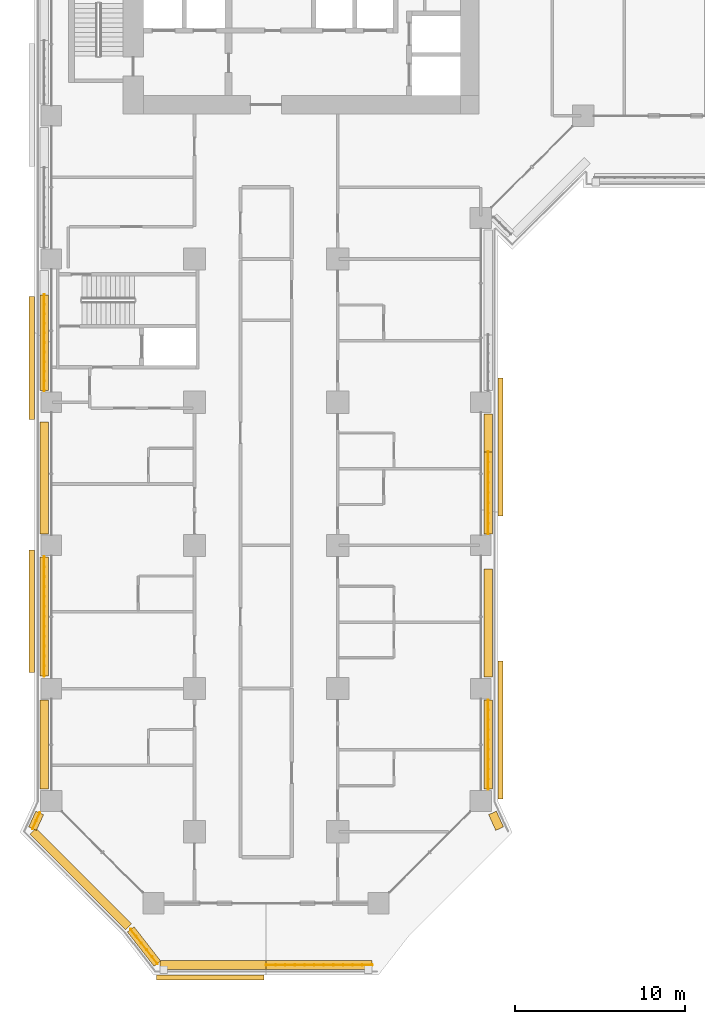
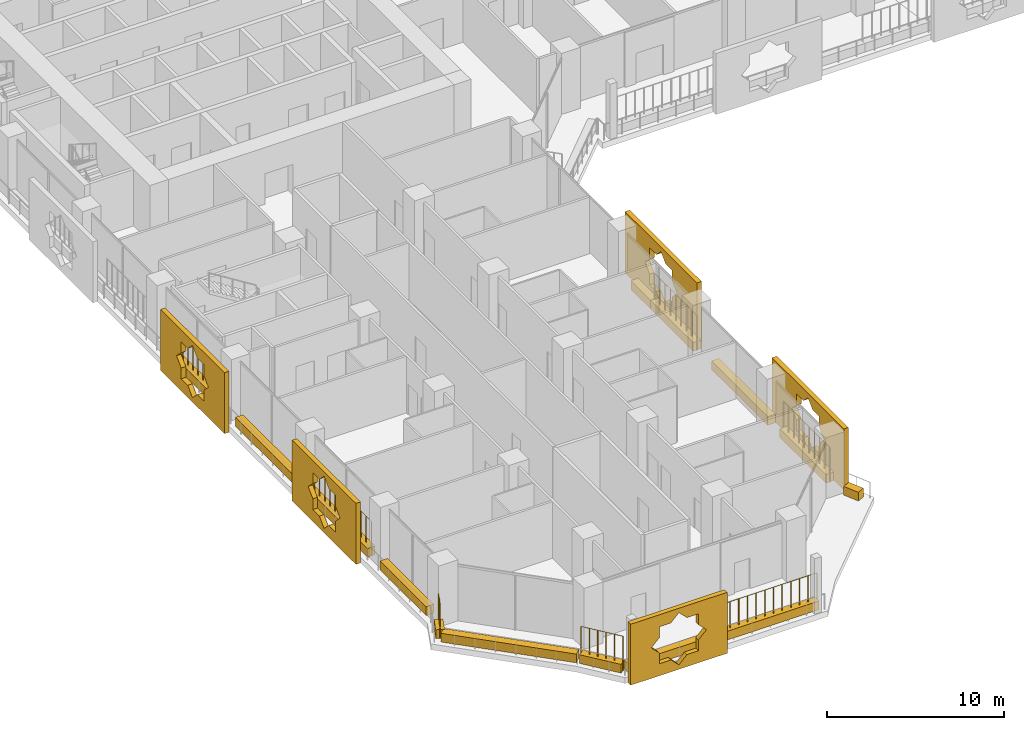
# One storey, part 21 of 28: 19 coverings, 7 railings.
"""IFC4 building model written with IfcOpenShell, lengths in metres."""

from ifc_helpers import new_model, si_unit, direction, frame, origin, origin_2d, place, context, subcontext, project, spatial, polyline, rectangle, circle, outline, extrude, material, material_profile, profile_set, type_object, element, save


model = new_model("IFC4")

# Units and contexts
model_context = context("Model", 3, precision=1e-05, world=origin(), true_north=direction((0.0, 1.0)))
body_context = subcontext(model_context, "Body", "Model", "MODEL_VIEW")
ifc_project = project(units=[si_unit("LENGTHUNIT", "METRE"), si_unit("AREAUNIT", "SQUARE_METRE"), si_unit("VOLUMEUNIT", "CUBIC_METRE"), si_unit("PLANEANGLEUNIT", "RADIAN"), si_unit("MASSUNIT", "GRAM", prefix="KILO")], contexts=[model_context])

# Site, building, storey
site_placement = place(None, origin())
site = spatial("IfcSite", under=ifc_project, at=site_placement, CompositionType="ELEMENT")
building_placement = place(site_placement, origin())
building = spatial("IfcBuilding", under=site, at=building_placement, Name="Kawkab Arch Medical Tower", CompositionType="ELEMENT")
storey_placement = place(building_placement, frame((0.0, 0.0, 81.199951171875)))
storey = spatial("IfcBuildingStorey", under=building, at=storey_placement, Name="L18", CompositionType="ELEMENT", Elevation=81.199951171875)

# Coverings
ifc_material_1 = material(Name="Bronze anodised aluminium mashrabiya panel, eight-point star pattern", Category="aluminium")
ifc_material_profile_1 = material_profile(ifc_material_1, outline(polyline([(-3.14990234375, -2.10009765625), (3.14990234375, -2.10009765625), (3.14990234375, 2.10009765625), (-3.14990234375, 2.10009765625), (-3.14990234375, -2.10009765625)]), holes=[polyline([(1.800048828125, 0.0), (1.272705078125, 0.527099609375), (1.272705078125, 1.272705078125), (0.527099609375, 1.272705078125), (0.0, 1.800048828125), (-0.527099609375, 1.272705078125), (-1.272705078125, 1.272705078125), (-1.272705078125, 0.527099609375), (-1.800048828125, 0.0), (-1.272705078125, -0.527099609375), (-1.272705078125, -1.272705078125), (-0.527099609375, -1.272705078125), (0.0, -1.800048828125), (0.527099609375, -1.272705078125), (1.272705078125, -1.272705078125), (1.272705078125, -0.527099609375), (1.800048828125, 0.0)])]), Name="Mashrabiya panel 6300x4200")
ifc_profile_set_1 = profile_set([ifc_material_profile_1], Name="Bronze anodised aluminium mashrabiya panel, eight-point star pattern")
covering_type_1 = type_object("IfcCoveringType", Name="Mashrabiya panel 6300 x 4200", PredefinedType="USERDEFINED", material=ifc_profile_set_1)
covering_1_placement = place(storey_placement, frame((9.322509765625, -75.60009765625, 1.699951171875), z_axis=(0.0, -1.0, 0.0), x_axis=(1.0, 0.0, 0.0)))
element("IfcCovering", 1, at=covering_1_placement, inside=storey, type_object=covering_type_1, Name="Mashrabiya panel L18.LOG-01-01.1", ObjectType="SCREEN", PredefinedType="USERDEFINED", context=body_context, shape_type="SweptSolid", body=[
    extrude(outline(polyline([(-3.14990234375, -2.10009765625), (3.14990234375, -2.10009765625), (3.14990234375, 2.10009765625), (-3.14990234375, 2.10009765625), (-3.14990234375, -2.10009765625)]), holes=[polyline([(1.800048828125, 0.0), (1.272705078125, 0.527099609375), (1.272705078125, 1.272705078125), (0.527099609375, 1.272705078125), (0.0, 1.800048828125), (-0.527099609375, 1.272705078125), (-1.272705078125, 1.272705078125), (-1.272705078125, 0.527099609375), (-1.800048828125, 0.0), (-1.272705078125, -0.527099609375), (-1.272705078125, -1.272705078125), (-0.527099609375, -1.272705078125), (0.0, -1.800048828125), (0.527099609375, -1.272705078125), (1.272705078125, -1.272705078125), (1.272705078125, -0.527099609375), (1.800048828125, 0.0)])]), origin(), (0.0, 0.0, 1.0), 0.2998046875),
])
ifc_material_2 = material(Name="Bronze anodised aluminium mashrabiya panel, eight-point star pattern", Category="aluminium")
ifc_material_profile_2 = material_profile(ifc_material_2, outline(polyline([(-3.60009765625, -2.10009765625), (3.60009765625, -2.10009765625), (3.60009765625, 2.10009765625), (-3.60009765625, 2.10009765625), (-3.60009765625, -2.10009765625)]), holes=[polyline([(1.800048828125, 0.0), (1.272705078125, 0.527099609375), (1.272705078125, 1.272705078125), (0.527099609375, 1.272705078125), (0.0, 1.800048828125), (-0.527099609375, 1.272705078125), (-1.272705078125, 1.272705078125), (-1.272705078125, 0.527099609375), (-1.800048828125, 0.0), (-1.272705078125, -0.527099609375), (-1.272705078125, -1.272705078125), (-0.527099609375, -1.272705078125), (0.0, -1.800048828125), (0.527099609375, -1.272705078125), (1.272705078125, -1.272705078125), (1.272705078125, -0.527099609375), (1.800048828125, 0.0)])]), Name="Mashrabiya panel 7200x4200")
ifc_profile_set_2 = profile_set([ifc_material_profile_2], Name="Bronze anodised aluminium mashrabiya panel, eight-point star pattern")
covering_type_2 = type_object("IfcCoveringType", Name="Mashrabiya panel 7200 x 4200", PredefinedType="USERDEFINED", material=ifc_profile_set_2)
for number, where, z_axis, x_axis, name in (
    (2, (-1.0, -54.263916015625, 1.699951171875), (-1.0, 0.0, 0.0), (0.0, -1.0, 0.0), "Mashrabiya panel L18.LOG-01-01.2"),
    (3, (-1.0, -39.412841796875, 1.699951171875), (-1.0, 0.0, 0.0), (0.0, -1.0, 0.0), "Mashrabiya panel L18.LOG-01-01.3"),
):
    element("IfcCovering", number, at=place(storey_placement, frame(where, z_axis=z_axis, x_axis=x_axis)), inside=storey, type_object=covering_type_2, Name=name, ObjectType="SCREEN", PredefinedType="USERDEFINED", context=body_context, shape_type="SweptSolid", body=[
        extrude(outline(polyline([(-3.60009765625, -2.10009765625), (3.60009765625, -2.10009765625), (3.60009765625, 2.10009765625), (-3.60009765625, 2.10009765625), (-3.60009765625, -2.10009765625)]), holes=[polyline([(1.800048828125, 0.0), (1.272705078125, 0.527099609375), (1.272705078125, 1.272705078125), (0.527099609375, 1.272705078125), (0.0, 1.800048828125), (-0.527099609375, 1.272705078125), (-1.272705078125, 1.272705078125), (-1.272705078125, 0.527099609375), (-1.800048828125, 0.0), (-1.272705078125, -0.527099609375), (-1.272705078125, -1.272705078125), (-0.527099609375, -1.272705078125), (0.0, -1.800048828125), (0.527099609375, -1.272705078125), (1.272705078125, -1.272705078125), (1.272705078125, -0.527099609375), (1.800048828125, 0.0)])]), origin(), (0.0, 0.0, 1.0), 0.300048828125),
    ])
ifc_material_3 = material(Name="Bronze anodised aluminium mashrabiya panel, eight-point star pattern", Category="aluminium")
ifc_material_profile_3 = material_profile(ifc_material_3, outline(polyline([(-4.050048828125, -2.10009765625), (4.050048828125, -2.10009765625), (4.050048828125, 2.10009765625), (-4.050048828125, 2.10009765625), (-4.050048828125, -2.10009765625)]), holes=[polyline([(1.800048828125, 0.0), (1.272705078125, 0.527099609375), (1.272705078125, 1.272705078125), (0.527099609375, 1.272705078125), (0.0, 1.800048828125), (-0.527099609375, 1.272705078125), (-1.272705078125, 1.272705078125), (-1.272705078125, 0.527099609375), (-1.800048828125, 0.0), (-1.272705078125, -0.527099609375), (-1.272705078125, -1.272705078125), (-0.527099609375, -1.272705078125), (0.0, -1.800048828125), (0.527099609375, -1.272705078125), (1.272705078125, -1.272705078125), (1.272705078125, -0.527099609375), (1.800048828125, 0.0)])]), Name="Mashrabiya panel 8100x4200")
ifc_profile_set_3 = profile_set([ifc_material_profile_3], Name="Bronze anodised aluminium mashrabiya panel, eight-point star pattern")
covering_type_3 = type_object("IfcCoveringType", Name="Mashrabiya panel 8100 x 4200", PredefinedType="USERDEFINED", material=ifc_profile_set_3)
for number, where, z_axis, x_axis, name in (
    (4, (26.199951171875, -44.639892578125, 1.699951171875), (1.0, 0.0, 0.0), (0.0, 1.0, 0.0), "Mashrabiya panel L18.LOG-01-01.14"),
    (5, (26.199951171875, -61.229736328125, 1.699951171875), (1.0, 0.0, 0.0), (0.0, 1.0, 0.0), "Mashrabiya panel L18.LOG-01-01.15"),
):
    element("IfcCovering", number, at=place(storey_placement, frame(where, z_axis=z_axis, x_axis=x_axis)), inside=storey, type_object=covering_type_3, Name=name, ObjectType="SCREEN", PredefinedType="USERDEFINED", context=body_context, shape_type="SweptSolid", body=[
        extrude(outline(polyline([(-4.050048828125, -2.10009765625), (4.050048828125, -2.10009765625), (4.050048828125, 2.10009765625), (-4.050048828125, 2.10009765625), (-4.050048828125, -2.10009765625)]), holes=[polyline([(1.800048828125, 0.0), (1.272705078125, 0.527099609375), (1.272705078125, 1.272705078125), (0.527099609375, 1.272705078125), (0.0, 1.800048828125), (-0.527099609375, 1.272705078125), (-1.272705078125, 1.272705078125), (-1.272705078125, 0.527099609375), (-1.800048828125, 0.0), (-1.272705078125, -0.527099609375), (-1.272705078125, -1.272705078125), (-0.527099609375, -1.272705078125), (0.0, -1.800048828125), (0.527099609375, -1.272705078125), (1.272705078125, -1.272705078125), (1.272705078125, -0.527099609375), (1.800048828125, 0.0)])]), origin(), (0.0, 0.0, 1.0), 0.300048828125),
    ])
ifc_material_4 = material(Name="Planting soil in a precast trough", Category="concrete")
ifc_material_profile_4 = material_profile(ifc_material_4, rectangle(XDim=0.5, YDim=0.60009765625, at=origin_2d()), Name="Trough 500x600")
ifc_profile_set_4 = profile_set([ifc_material_profile_4], Name="Planting soil in a precast trough")
covering_type_4 = type_object("IfcCoveringType", Name="Planter trough 500 x 600", PredefinedType="USERDEFINED", material=ifc_profile_set_4)
covering_2_placement = place(storey_placement, frame((18.81591796875, -75.02001953125, 0.300048828125), z_axis=(-1.0, 0.0, 0.0), x_axis=(0.0, -1.0, 0.0)))
element("IfcCovering", 6, at=covering_2_placement, inside=storey, type_object=covering_type_4, Name="Planter L18.LOG-01-01.1", ObjectType="PLANTER", PredefinedType="USERDEFINED", context=body_context, shape_type="SweptSolid", body=[
    extrude(rectangle(XDim=0.5, YDim=0.60009765625, at=origin_2d()), origin(), (0.0, 0.0, 1.0), 6.2158203125),
])
covering_3_placement = place(storey_placement, frame((12.60009765625, -75.02001953125, 0.300048828125), z_axis=(-1.0, 0.0, 0.0), x_axis=(0.0, -1.0, 0.0)))
element("IfcCovering", 7, at=covering_3_placement, inside=storey, type_object=covering_type_4, Name="Planter L18.LOG-01-01.2", ObjectType="PLANTER", PredefinedType="USERDEFINED", context=body_context, shape_type="SweptSolid", body=[
    extrude(rectangle(XDim=0.5, YDim=0.60009765625, at=origin_2d()), origin(), (0.0, 0.0, 1.0), 6.216064453125),
])
covering_4_placement = place(storey_placement, frame((6.221923828125, -74.94091796875, 0.300048828125), z_axis=(-0.61404021143, 0.789274742246, 0.0), x_axis=(-0.789274742246, -0.61404021143, 0.0)))
element("IfcCovering", 8, at=covering_4_placement, inside=storey, type_object=covering_type_4, Name="Planter L18.LOG-01-01.3", ObjectType="PLANTER", PredefinedType="USERDEFINED", context=body_context, shape_type="SweptSolid", body=[
    extrude(rectangle(XDim=0.5, YDim=0.60009765625, at=origin_2d()), origin(), (0.0, 0.0, 1.0), 2.54541015625),
])
covering_5_placement = place(storey_placement, frame((4.527099609375, -72.782958984375, 0.300048828125), z_axis=(-0.70712219479, 0.707091367247, 0.0), x_axis=(-0.707091367247, -0.70712219479, 0.0)))
element("IfcCovering", 9, at=covering_5_placement, inside=storey, type_object=covering_type_4, Name="Planter L18.LOG-01-01.4", ObjectType="PLANTER", PredefinedType="USERDEFINED", context=body_context, shape_type="SweptSolid", body=[
    extrude(rectangle(XDim=0.5, YDim=0.60009765625, at=origin_2d()), origin(), (0.0, 0.0, 1.0), 7.919677734375),
])
covering_6_placement = place(storey_placement, frame((-1.10205078125, -67.02099609375, 0.300048828125), z_axis=(0.415071571878, 0.909788761317, 0.0), x_axis=(-0.909788761317, 0.415071571878, 0.0)))
element("IfcCovering", 10, at=covering_6_placement, inside=storey, type_object=covering_type_4, Name="Planter L18.LOG-01-01.5", ObjectType="PLANTER", PredefinedType="USERDEFINED", context=body_context, shape_type="SweptSolid", body=[
    extrude(rectangle(XDim=0.5, YDim=0.60009765625, at=origin_2d()), origin(), (0.0, 0.0, 1.0), 1.0146484375),
])
covering_7_placement = place(storey_placement, frame((-0.419921875, -64.695068359375, 0.300048828125), z_axis=(0.0, 1.0, 0.0), x_axis=(-1.0, 0.0, 0.0)))
element("IfcCovering", 11, at=covering_7_placement, inside=storey, type_object=covering_type_4, Name="Planter L18.LOG-01-01.6", ObjectType="PLANTER", PredefinedType="USERDEFINED", context=body_context, shape_type="SweptSolid", body=[
    extrude(rectangle(XDim=0.5, YDim=0.60009765625, at=origin_2d()), origin(), (0.0, 0.0, 1.0), 5.215087890625),
])
covering_8_placement = place(storey_placement, frame((-0.419921875, -58.069091796875, 0.300048828125), z_axis=(0.0, 1.0, 0.0), x_axis=(-1.0, 0.0, 0.0)))
element("IfcCovering", 12, at=covering_8_placement, inside=storey, type_object=covering_type_4, Name="Planter L18.LOG-01-01.7", ObjectType="PLANTER", PredefinedType="USERDEFINED", context=body_context, shape_type="SweptSolid", body=[
    extrude(rectangle(XDim=0.5, YDim=0.60009765625, at=origin_2d()), origin(), (0.0, 0.0, 1.0), 6.989013671875),
])
covering_9_placement = place(storey_placement, frame((-0.419921875, -49.719970703125, 0.300048828125), z_axis=(0.0, 1.0, 0.0), x_axis=(-1.0, 0.0, 0.0)))
element("IfcCovering", 13, at=covering_9_placement, inside=storey, type_object=covering_type_4, Name="Planter L18.LOG-01-01.8", ObjectType="PLANTER", PredefinedType="USERDEFINED", context=body_context, shape_type="SweptSolid", body=[
    extrude(rectangle(XDim=0.5, YDim=0.60009765625, at=origin_2d()), origin(), (0.0, 0.0, 1.0), 6.56396484375),
])
covering_10_placement = place(storey_placement, frame((-0.419921875, -41.320068359375, 0.300048828125), z_axis=(0.0, 1.0, 0.0), x_axis=(-1.0, 0.0, 0.0)))
element("IfcCovering", 14, at=covering_10_placement, inside=storey, type_object=covering_type_4, Name="Planter L18.LOG-01-01.9", ObjectType="PLANTER", PredefinedType="USERDEFINED", context=body_context, shape_type="SweptSolid", body=[
    extrude(rectangle(XDim=0.5, YDim=0.60009765625, at=origin_2d()), origin(), (0.0, 0.0, 1.0), 5.6201171875),
])
covering_11_placement = place(storey_placement, frame((25.6201171875, -42.679931640625, 0.300048828125), z_axis=(0.0, -1.0, 0.0), x_axis=(1.0, 0.0, 0.0)))
element("IfcCovering", 15, at=covering_11_placement, inside=storey, type_object=covering_type_4, Name="Planter L18.LOG-01-01.46", ObjectType="PLANTER", PredefinedType="USERDEFINED", context=body_context, shape_type="SweptSolid", body=[
    extrude(rectangle(XDim=0.5, YDim=0.60009765625, at=origin_2d()), origin(), (0.0, 0.0, 1.0), 2.240966796875),
])
covering_12_placement = place(storey_placement, frame((25.6201171875, -44.9208984375, 0.300048828125), z_axis=(0.0, -1.0, 0.0), x_axis=(1.0, 0.0, 0.0)))
element("IfcCovering", 16, at=covering_12_placement, inside=storey, type_object=covering_type_4, Name="Planter L18.LOG-01-01.47", ObjectType="PLANTER", PredefinedType="USERDEFINED", context=body_context, shape_type="SweptSolid", body=[
    extrude(rectangle(XDim=0.5, YDim=0.60009765625, at=origin_2d()), origin(), (0.0, 0.0, 1.0), 4.799072265625),
])
covering_13_placement = place(storey_placement, frame((25.6201171875, -51.7890625, 0.300048828125), z_axis=(0.0, -1.0, 0.0), x_axis=(1.0, 0.0, 0.0)))
element("IfcCovering", 17, at=covering_13_placement, inside=storey, type_object=covering_type_4, Name="Planter L18.LOG-01-01.48", ObjectType="PLANTER", PredefinedType="USERDEFINED", context=body_context, shape_type="SweptSolid", body=[
    extrude(rectangle(XDim=0.5, YDim=0.60009765625, at=origin_2d()), origin(), (0.0, 0.0, 1.0), 6.3310546875),
])
covering_14_placement = place(storey_placement, frame((25.6201171875, -59.47998046875, 0.300048828125), z_axis=(0.0, -1.0, 0.0), x_axis=(1.0, 0.0, 0.0)))
element("IfcCovering", 18, at=covering_14_placement, inside=storey, type_object=covering_type_4, Name="Planter L18.LOG-01-01.49", ObjectType="PLANTER", PredefinedType="USERDEFINED", context=body_context, shape_type="SweptSolid", body=[
    extrude(rectangle(XDim=0.5, YDim=0.60009765625, at=origin_2d()), origin(), (0.0, 0.0, 1.0), 5.215087890625),
])
covering_15_placement = place(storey_placement, frame((25.881103515625, -66.097900390625, 0.300048828125), z_axis=(0.414872376122, -0.909879613757, 0.0), x_axis=(0.909879613757, 0.414872376122, 0.0)))
element("IfcCovering", 19, at=covering_15_placement, inside=storey, type_object=covering_type_4, Name="Planter L18.LOG-01-01.50", ObjectType="PLANTER", PredefinedType="USERDEFINED", context=body_context, shape_type="SweptSolid", body=[
    extrude(rectangle(XDim=0.5, YDim=0.60009765625, at=origin_2d()), origin(), (0.0, 0.0, 1.0), 1.014404296875),
])

# Railings
ifc_material_5 = material(Name="Bronze anodised aluminium trellis for climbing plants", Category="aluminium")
railing_type = type_object("IfcRailingType", Name="Planting trellis 2400", PredefinedType="USERDEFINED", material=ifc_material_5)
railing_1_placement = place(storey_placement, frame((18.81591796875, -75.02001953125, 0.0)))
element("IfcRailing", 20, at=railing_1_placement, inside=storey, type_object=railing_type, Name="Planting trellis L18.LOG-01-01.1", ObjectType="TRELLIS", PredefinedType="USERDEFINED", context=body_context, shape_type="SweptSolid", body=[
    extrude(circle(Radius=0.01513671875, at=origin_2d()), frame((0.0, 0.0, 2.384765625), z_axis=(-1.0, 0.0, 0.0), x_axis=(0.0, -1.0, 0.0)), (0.0, 0.0, 1.0), 6.2158203125),
    extrude(circle(Radius=0.030029296875, at=origin_2d()), origin(), (0.0, 0.0, 1.0), 2.369873046875),
    extrude(circle(Radius=0.030029296875, at=origin_2d()), frame((-0.565185546875, 0.0, 0.0)), (0.0, 0.0, 1.0), 2.369873046875),
    extrude(circle(Radius=0.030029296875, at=origin_2d()), frame((-1.130126953125, 0.0, 0.0)), (0.0, 0.0, 1.0), 2.369873046875),
    extrude(circle(Radius=0.030029296875, at=origin_2d()), frame((-1.6953125, 0.0, 0.0)), (0.0, 0.0, 1.0), 2.369873046875),
    extrude(circle(Radius=0.030029296875, at=origin_2d()), frame((-2.26025390625, 0.0, 0.0)), (0.0, 0.0, 1.0), 2.369873046875),
    extrude(circle(Radius=0.030029296875, at=origin_2d()), frame((-2.825439453125, 0.0, 0.0)), (0.0, 0.0, 1.0), 2.369873046875),
    extrude(circle(Radius=0.030029296875, at=origin_2d()), frame((-3.390380859375, 0.0, 0.0)), (0.0, 0.0, 1.0), 2.369873046875),
    extrude(circle(Radius=0.030029296875, at=origin_2d()), frame((-3.95556640625, 0.0, 0.0)), (0.0, 0.0, 1.0), 2.369873046875),
    extrude(circle(Radius=0.030029296875, at=origin_2d()), frame((-4.5205078125, 0.0, 0.0)), (0.0, 0.0, 1.0), 2.369873046875),
    extrude(circle(Radius=0.030029296875, at=origin_2d()), frame((-5.085693359375, 0.0, 0.0)), (0.0, 0.0, 1.0), 2.369873046875),
    extrude(circle(Radius=0.030029296875, at=origin_2d()), frame((-5.650634765625, 0.0, 0.0)), (0.0, 0.0, 1.0), 2.369873046875),
    extrude(circle(Radius=0.030029296875, at=origin_2d()), frame((-6.2158203125, 0.0, 0.0)), (0.0, 0.0, 1.0), 2.369873046875),
])
railing_2_placement = place(storey_placement, frame((6.221923828125, -74.94091796875, 0.0)))
element("IfcRailing", 21, at=railing_2_placement, inside=storey, type_object=railing_type, Name="Planting trellis L18.LOG-01-01.3", ObjectType="TRELLIS", PredefinedType="USERDEFINED", context=body_context, shape_type="SweptSolid", body=[
    extrude(circle(Radius=0.01513671875, at=origin_2d()), frame((0.0, 0.0, 2.384765625), z_axis=(-0.61404021143, 0.789274742246, 0.0), x_axis=(-0.789274742246, -0.61404021143, 0.0)), (0.0, 0.0, 1.0), 2.54541015625),
    extrude(circle(Radius=0.030029296875, at=origin_2d()), origin(), (0.0, 0.0, 1.0), 2.369873046875),
    extrude(circle(Radius=0.030029296875, at=origin_2d()), frame((-0.3125, 0.40185546875, 0.0)), (0.0, 0.0, 1.0), 2.369873046875),
    extrude(circle(Radius=0.030029296875, at=origin_2d()), frame((-0.625244140625, 0.8037109375, 0.0)), (0.0, 0.0, 1.0), 2.369873046875),
    extrude(circle(Radius=0.030029296875, at=origin_2d()), frame((-0.937744140625, 1.205322265625, 0.0)), (0.0, 0.0, 1.0), 2.369873046875),
    extrude(circle(Radius=0.030029296875, at=origin_2d()), frame((-1.25048828125, 1.607177734375, 0.0)), (0.0, 0.0, 1.0), 2.369873046875),
    extrude(circle(Radius=0.030029296875, at=origin_2d()), frame((-1.56298828125, 2.009033203125, 0.0)), (0.0, 0.0, 1.0), 2.369873046875),
])
railing_3_placement = place(storey_placement, frame((-1.10205078125, -67.02099609375, 0.0)))
element("IfcRailing", 22, at=railing_3_placement, inside=storey, type_object=railing_type, Name="Planting trellis L18.LOG-01-01.5", ObjectType="TRELLIS", PredefinedType="USERDEFINED", context=body_context, shape_type="SweptSolid", body=[
    extrude(circle(Radius=0.01513671875, at=origin_2d()), frame((0.0, 0.0, 2.384765625), z_axis=(0.415071571878, 0.909788761317, 0.0), x_axis=(-0.909788761317, 0.415071571878, 0.0)), (0.0, 0.0, 1.0), 1.0146484375),
    extrude(circle(Radius=0.030029296875, at=origin_2d()), origin(), (0.0, 0.0, 1.0), 2.369873046875),
    extrude(circle(Radius=0.030029296875, at=origin_2d()), frame((0.21044921875, 0.46142578125, 0.0)), (0.0, 0.0, 1.0), 2.369873046875),
    extrude(circle(Radius=0.030029296875, at=origin_2d()), frame((0.421142578125, 0.923095703125, 0.0)), (0.0, 0.0, 1.0), 2.369873046875),
])
railing_4_placement = place(storey_placement, frame((-0.419921875, -58.069091796875, 0.0)))
element("IfcRailing", 23, at=railing_4_placement, inside=storey, type_object=railing_type, Name="Planting trellis L18.LOG-01-01.7", ObjectType="TRELLIS", PredefinedType="USERDEFINED", context=body_context, shape_type="SweptSolid", body=[
    extrude(circle(Radius=0.01513671875, at=origin_2d()), frame((0.0, 0.0, 2.384765625), z_axis=(0.0, 1.0, 0.0), x_axis=(-1.0, 0.0, 0.0)), (0.0, 0.0, 1.0), 6.989013671875),
    extrude(circle(Radius=0.030029296875, at=origin_2d()), origin(), (0.0, 0.0, 1.0), 2.369873046875),
    extrude(circle(Radius=0.030029296875, at=origin_2d()), frame((0.0, 0.58251953125, 0.0)), (0.0, 0.0, 1.0), 2.369873046875),
    extrude(circle(Radius=0.030029296875, at=origin_2d()), frame((0.0, 1.164794921875, 0.0)), (0.0, 0.0, 1.0), 2.369873046875),
    extrude(circle(Radius=0.030029296875, at=origin_2d()), frame((0.0, 1.747314453125, 0.0)), (0.0, 0.0, 1.0), 2.369873046875),
    extrude(circle(Radius=0.030029296875, at=origin_2d()), frame((0.0, 2.32958984375, 0.0)), (0.0, 0.0, 1.0), 2.369873046875),
    extrude(circle(Radius=0.030029296875, at=origin_2d()), frame((0.0, 2.912109375, 0.0)), (0.0, 0.0, 1.0), 2.369873046875),
    extrude(circle(Radius=0.030029296875, at=origin_2d()), frame((0.0, 3.49462890625, 0.0)), (0.0, 0.0, 1.0), 2.369873046875),
    extrude(circle(Radius=0.030029296875, at=origin_2d()), frame((0.0, 4.076904296875, 0.0)), (0.0, 0.0, 1.0), 2.369873046875),
    extrude(circle(Radius=0.030029296875, at=origin_2d()), frame((0.0, 4.659423828125, 0.0)), (0.0, 0.0, 1.0), 2.369873046875),
    extrude(circle(Radius=0.030029296875, at=origin_2d()), frame((0.0, 5.24169921875, 0.0)), (0.0, 0.0, 1.0), 2.369873046875),
    extrude(circle(Radius=0.030029296875, at=origin_2d()), frame((0.0, 5.82421875, 0.0)), (0.0, 0.0, 1.0), 2.369873046875),
    extrude(circle(Radius=0.030029296875, at=origin_2d()), frame((0.0, 6.406494140625, 0.0)), (0.0, 0.0, 1.0), 2.369873046875),
    extrude(circle(Radius=0.030029296875, at=origin_2d()), frame((0.0, 6.989013671875, 0.0)), (0.0, 0.0, 1.0), 2.369873046875),
])
railing_5_placement = place(storey_placement, frame((-0.419921875, -41.320068359375, 0.0)))
element("IfcRailing", 24, at=railing_5_placement, inside=storey, type_object=railing_type, Name="Planting trellis L18.LOG-01-01.9", ObjectType="TRELLIS", PredefinedType="USERDEFINED", context=body_context, shape_type="SweptSolid", body=[
    extrude(circle(Radius=0.01513671875, at=origin_2d()), frame((0.0, 0.0, 2.384765625), z_axis=(0.0, 1.0, 0.0), x_axis=(-1.0, 0.0, 0.0)), (0.0, 0.0, 1.0), 5.6201171875),
    extrude(circle(Radius=0.030029296875, at=origin_2d()), origin(), (0.0, 0.0, 1.0), 2.369873046875),
    extrude(circle(Radius=0.030029296875, at=origin_2d()), frame((0.0, 0.56201171875, 0.0)), (0.0, 0.0, 1.0), 2.369873046875),
    extrude(circle(Radius=0.030029296875, at=origin_2d()), frame((0.0, 1.1240234375, 0.0)), (0.0, 0.0, 1.0), 2.369873046875),
    extrude(circle(Radius=0.030029296875, at=origin_2d()), frame((0.0, 1.68603515625, 0.0)), (0.0, 0.0, 1.0), 2.369873046875),
    extrude(circle(Radius=0.030029296875, at=origin_2d()), frame((0.0, 2.248046875, 0.0)), (0.0, 0.0, 1.0), 2.369873046875),
    extrude(circle(Radius=0.030029296875, at=origin_2d()), frame((0.0, 2.81005859375, 0.0)), (0.0, 0.0, 1.0), 2.369873046875),
    extrude(circle(Radius=0.030029296875, at=origin_2d()), frame((0.0, 3.3720703125, 0.0)), (0.0, 0.0, 1.0), 2.369873046875),
    extrude(circle(Radius=0.030029296875, at=origin_2d()), frame((0.0, 3.93408203125, 0.0)), (0.0, 0.0, 1.0), 2.369873046875),
    extrude(circle(Radius=0.030029296875, at=origin_2d()), frame((0.0, 4.49609375, 0.0)), (0.0, 0.0, 1.0), 2.369873046875),
    extrude(circle(Radius=0.030029296875, at=origin_2d()), frame((0.0, 5.05810546875, 0.0)), (0.0, 0.0, 1.0), 2.369873046875),
    extrude(circle(Radius=0.030029296875, at=origin_2d()), frame((0.0, 5.6201171875, 0.0)), (0.0, 0.0, 1.0), 2.369873046875),
])
railing_6_placement = place(storey_placement, frame((25.6201171875, -44.9208984375, 0.0)))
element("IfcRailing", 25, at=railing_6_placement, inside=storey, type_object=railing_type, Name="Planting trellis L18.LOG-01-01.47", ObjectType="TRELLIS", PredefinedType="USERDEFINED", context=body_context, shape_type="SweptSolid", body=[
    extrude(circle(Radius=0.01513671875, at=origin_2d()), frame((0.0, 0.0, 2.384765625), z_axis=(0.0, -1.0, 0.0), x_axis=(1.0, 0.0, 0.0)), (0.0, 0.0, 1.0), 4.799072265625),
    extrude(circle(Radius=0.030029296875, at=origin_2d()), origin(), (0.0, 0.0, 1.0), 2.369873046875),
    extrude(circle(Radius=0.030029296875, at=origin_2d()), frame((0.0, -0.599853515625, 0.0)), (0.0, 0.0, 1.0), 2.369873046875),
    extrude(circle(Radius=0.030029296875, at=origin_2d()), frame((0.0, -1.19970703125, 0.0)), (0.0, 0.0, 1.0), 2.369873046875),
    extrude(circle(Radius=0.030029296875, at=origin_2d()), frame((0.0, -1.799560546875, 0.0)), (0.0, 0.0, 1.0), 2.369873046875),
    extrude(circle(Radius=0.030029296875, at=origin_2d()), frame((0.0, -2.3994140625, 0.0)), (0.0, 0.0, 1.0), 2.369873046875),
    extrude(circle(Radius=0.030029296875, at=origin_2d()), frame((0.0, -2.99951171875, 0.0)), (0.0, 0.0, 1.0), 2.369873046875),
    extrude(circle(Radius=0.030029296875, at=origin_2d()), frame((0.0, -3.599365234375, 0.0)), (0.0, 0.0, 1.0), 2.369873046875),
    extrude(circle(Radius=0.030029296875, at=origin_2d()), frame((0.0, -4.19921875, 0.0)), (0.0, 0.0, 1.0), 2.369873046875),
    extrude(circle(Radius=0.030029296875, at=origin_2d()), frame((0.0, -4.799072265625, 0.0)), (0.0, 0.0, 1.0), 2.369873046875),
])
railing_7_placement = place(storey_placement, frame((25.6201171875, -59.47998046875, 0.0)))
element("IfcRailing", 26, at=railing_7_placement, inside=storey, type_object=railing_type, Name="Planting trellis L18.LOG-01-01.49", ObjectType="TRELLIS", PredefinedType="USERDEFINED", context=body_context, shape_type="SweptSolid", body=[
    extrude(circle(Radius=0.01513671875, at=origin_2d()), frame((0.0, 0.0, 2.384765625), z_axis=(0.0, -1.0, 0.0), x_axis=(1.0, 0.0, 0.0)), (0.0, 0.0, 1.0), 5.215087890625),
    extrude(circle(Radius=0.030029296875, at=origin_2d()), origin(), (0.0, 0.0, 1.0), 2.369873046875),
    extrude(circle(Radius=0.030029296875, at=origin_2d()), frame((0.0, -0.579345703125, 0.0)), (0.0, 0.0, 1.0), 2.369873046875),
    extrude(circle(Radius=0.030029296875, at=origin_2d()), frame((0.0, -1.158935546875, 0.0)), (0.0, 0.0, 1.0), 2.369873046875),
    extrude(circle(Radius=0.030029296875, at=origin_2d()), frame((0.0, -1.73828125, 0.0)), (0.0, 0.0, 1.0), 2.369873046875),
    extrude(circle(Radius=0.030029296875, at=origin_2d()), frame((0.0, -2.31787109375, 0.0)), (0.0, 0.0, 1.0), 2.369873046875),
    extrude(circle(Radius=0.030029296875, at=origin_2d()), frame((0.0, -2.897216796875, 0.0)), (0.0, 0.0, 1.0), 2.369873046875),
    extrude(circle(Radius=0.030029296875, at=origin_2d()), frame((0.0, -3.476806640625, 0.0)), (0.0, 0.0, 1.0), 2.369873046875),
    extrude(circle(Radius=0.030029296875, at=origin_2d()), frame((0.0, -4.05615234375, 0.0)), (0.0, 0.0, 1.0), 2.369873046875),
    extrude(circle(Radius=0.030029296875, at=origin_2d()), frame((0.0, -4.6357421875, 0.0)), (0.0, 0.0, 1.0), 2.369873046875),
    extrude(circle(Radius=0.030029296875, at=origin_2d()), frame((0.0, -5.215087890625, 0.0)), (0.0, 0.0, 1.0), 2.369873046875),
])

save(model, "model.ifc")
